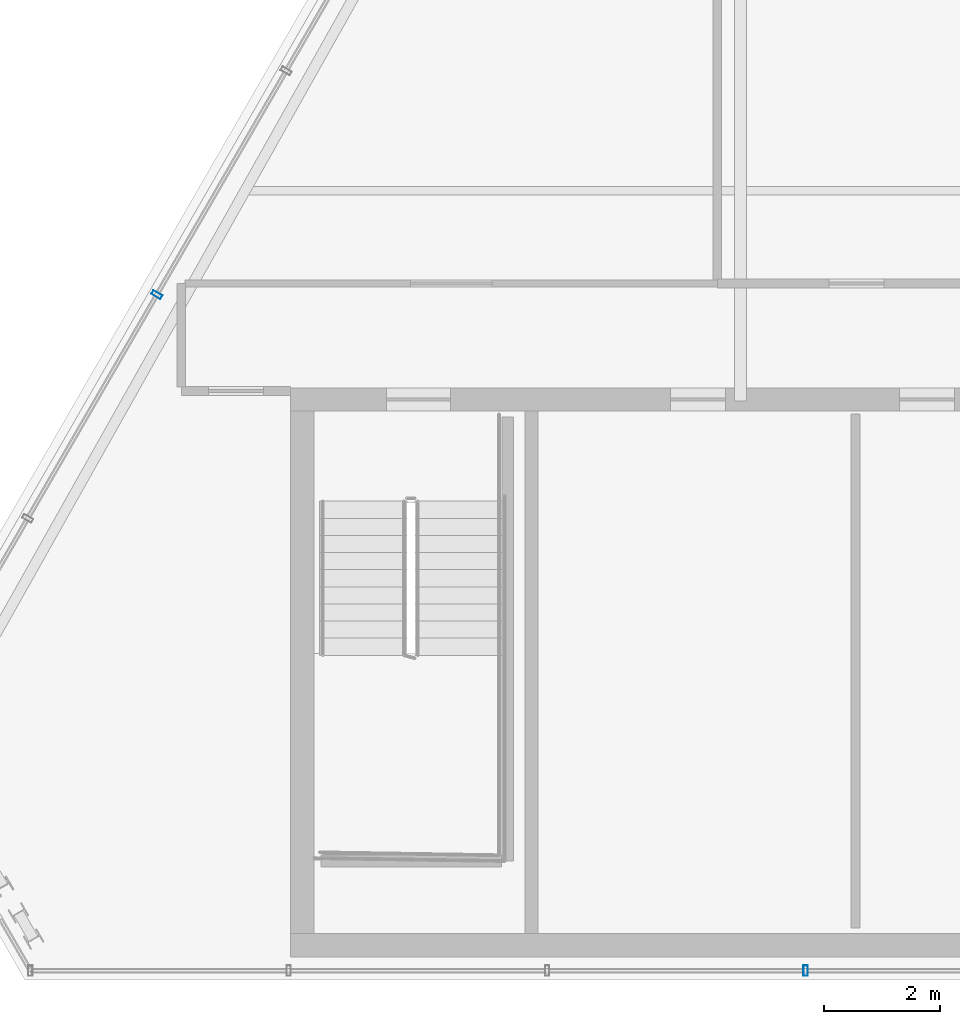
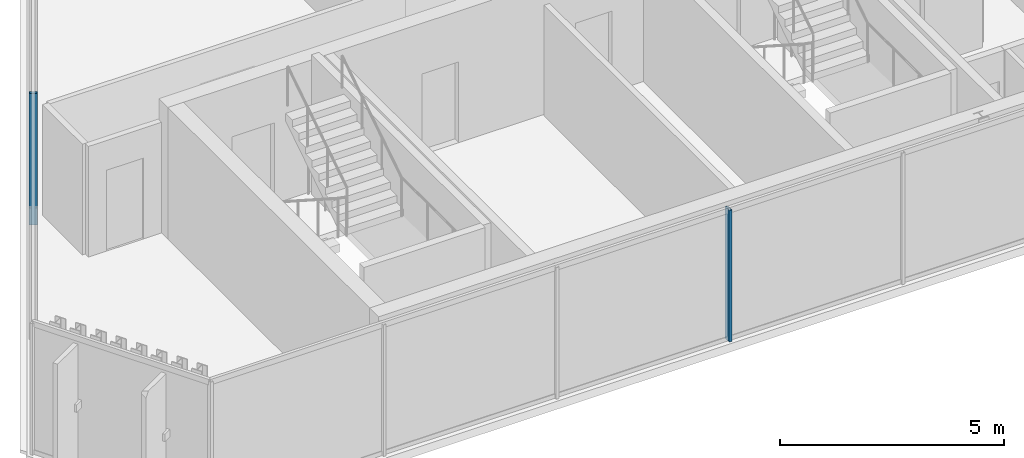
# One storey, part 4 of 32: 2 members, 2 elements without a shape of their own.
"""IFC4 building model written with IfcOpenShell, lengths in metres."""

import ifcopenshell
import ifcopenshell.guid

model = None  # the IFC model being written
_history = None  # IfcOwnerHistory: only IFC2X3 demands one
_inside = {}  # id of a spatial element -> (the spatial element, [elements in it])
_under = {}  # id of a project, library or spatial element -> (it, [spatial elements below it])
_declared = {}  # id of a project -> (the project, [libraries it declares])
_typed = {}  # id of a type object -> (the type object, [elements of that type])
_made_of = {}  # id of a material, layer set ... -> (it, [elements and type objects made of it])


def new_model(schema):
    """Start an empty IFC model of exactly this schema.

    Asked for "IFC4X3", IfcOpenShell would pick the latest addendum, in which some entities
    have other attributes; the version numbers below select the first issue.
    IFC2X3 requires an IfcOwnerHistory on every rooted entity: one is made here for all.
    """
    global model, _history
    if schema == "IFC4X3":
        model = ifcopenshell.file(schema_version=(4, 3, 0, 0))
    else:
        model = ifcopenshell.file(schema=schema)
    _inside.clear()
    _under.clear()
    _declared.clear()
    _typed.clear()
    _made_of.clear()
    _history = None
    if model.schema == "IFC2X3":
        org = make("IfcOrganization", Name="unknown")
        user = make(
            "IfcPersonAndOrganization",
            ThePerson=make("IfcPerson", FamilyName="unknown"),
            TheOrganization=org,
        )
        app = make(
            "IfcApplication",
            ApplicationDeveloper=org,
            Version="unknown",
            ApplicationFullName="unknown",
            ApplicationIdentifier="unknown",
        )
        _history = make(
            "IfcOwnerHistory",
            OwningUser=user,
            OwningApplication=app,
            ChangeAction="ADDED",
            CreationDate=0,
        )
    return model


def make(cls, **values):
    """One entity of the class cls with the attributes given. An attribute that is None is left unset."""
    return model.create_entity(
        cls, **{name: value for name, value in values.items() if value is not None}
    )


def rooted(cls, **values):
    """An entity with a GlobalId (a new one), such as an element, a storey or a relation."""
    return make(cls, GlobalId=ifcopenshell.guid.new(), OwnerHistory=_history, **values)


def si_unit(unit_type, name, prefix=None):
    """IfcSIUnit, for example si_unit("LENGTHUNIT", "METRE", prefix="MILLI")."""
    return make("IfcSIUnit", UnitType=unit_type, Prefix=prefix, Name=name)


def assignment(units):
    """IfcUnitAssignment: the units of a project."""
    return None if units is None else make("IfcUnitAssignment", Units=units)


def point(xyz):
    """IfcCartesianPoint."""
    return None if xyz is None else make("IfcCartesianPoint", Coordinates=xyz)


def direction(xyz):
    """IfcDirection."""
    return None if xyz is None else make("IfcDirection", DirectionRatios=xyz)


def frame(location, z_axis=None, x_axis=None):
    """IfcAxis2Placement3D, a coordinate frame: its origin and axes. An axis left out is left unset."""
    return make(
        "IfcAxis2Placement3D",
        Location=point(location),
        Axis=direction(z_axis),
        RefDirection=direction(x_axis),
    )


def frame_2d(location, x_axis=None):
    """IfcAxis2Placement2D, a coordinate frame in the plane: its origin and x axis."""
    return make(
        "IfcAxis2Placement2D", Location=point(location), RefDirection=direction(x_axis)
    )


def origin():
    """The frame at (0, 0, 0) with its axes left unset."""
    return frame((0.0, 0.0, 0.0))


def origin_2d():
    """The frame at (0, 0) in the plane with its x axis left unset."""
    return frame_2d((0.0, 0.0))


def place(relative_to, where):
    """IfcLocalPlacement: puts the frame where relative to a parent placement (None: the world)."""
    return make(
        "IfcLocalPlacement", PlacementRelTo=relative_to, RelativePlacement=where
    )


def context(
    kind, dimensions, precision=None, world=None, true_north=None, identifier=None
):
    """IfcGeometricRepresentationContext, for example the 3D "Model" context."""
    return make(
        "IfcGeometricRepresentationContext",
        ContextIdentifier=identifier,
        ContextType=kind,
        CoordinateSpaceDimension=dimensions,
        Precision=precision,
        WorldCoordinateSystem=world,
        TrueNorth=true_north,
    )


def subcontext(parent, identifier, kind, view, scale=None):
    """IfcGeometricRepresentationSubContext, for example "Body" below "Model"."""
    return make(
        "IfcGeometricRepresentationSubContext",
        ContextIdentifier=identifier,
        ContextType=kind,
        ParentContext=parent,
        TargetScale=scale,
        TargetView=view,
    )


def project(units=None, contexts=None):
    """IfcProject with its units and contexts."""
    return rooted(
        "IfcProject",
        Name="project",
        RepresentationContexts=contexts,
        UnitsInContext=assignment(units),
    )


def spatial(cls, under=None, at=None, **own):
    """A site, building, storey or space (cls), placed at a placement, below another one or the project."""
    s = rooted(cls, ObjectPlacement=at, **own)
    if under is not None:
        _under.setdefault(under.id(), (under, []))[1].append(s)
    return s


def profile(cls, at=None, kind="AREA", **sizes):
    """A parametric profile (cls). Its sizes go by their IFC names, for example OverallWidth=200.0."""
    return make(cls, ProfileType=kind, Position=at, **sizes)


def hollow_rectangle(**sizes):
    """IfcRectangleHollowProfileDef."""
    return profile("IfcRectangleHollowProfileDef", **sizes)


def extrude(swept, where, along, depth):
    """IfcExtrudedAreaSolid: the profile swept, set in the frame where, extruded along a direction by depth."""
    return make(
        "IfcExtrudedAreaSolid",
        SweptArea=swept,
        Position=where,
        ExtrudedDirection=direction(along),
        Depth=depth,
    )


def shape(context_of_items, identifier, shape_type, items):
    """IfcShapeRepresentation: the items that make up one representation, for example the "Body"."""
    return make(
        "IfcShapeRepresentation",
        ContextOfItems=context_of_items,
        RepresentationIdentifier=identifier,
        RepresentationType=shape_type,
        Items=items,
    )


def material(Name=None, Category=None):
    """IfcMaterial."""
    return make("IfcMaterial", Name=Name, Category=Category)


def layer(
    of_material, thickness, ventilated=None, Name=None, Category=None, Priority=None
):
    """IfcMaterialLayer: one layer of a wall or slab, of a material (None: an air gap)."""
    return make(
        "IfcMaterialLayer",
        Material=of_material,
        LayerThickness=thickness,
        IsVentilated=ventilated,
        Name=Name,
        Category=Category,
        Priority=Priority,
    )


def layer_set(layers, Name=None):
    """IfcMaterialLayerSet."""
    return make("IfcMaterialLayerSet", MaterialLayers=layers, LayerSetName=Name)


def material_profile(
    of_material, cross_section, Name=None, Category=None, Priority=None
):
    """IfcMaterialProfile: a cross section and its material."""
    return make(
        "IfcMaterialProfile",
        Name=Name,
        Material=of_material,
        Profile=cross_section,
        Priority=Priority,
        Category=Category,
    )


def profile_set(profiles, Name=None, composite=None):
    """IfcMaterialProfileSet."""
    return make(
        "IfcMaterialProfileSet",
        Name=Name,
        MaterialProfiles=profiles,
        CompositeProfile=composite,
    )


def made_of(thing, what):
    """Note that an element or type object is made of a material, layer set ...; save() writes the relation."""
    if what is not None:
        _made_of.setdefault(what.id(), (what, []))[1].append(thing)
    return thing


def type_object(cls, material=None, **own):
    """A type object (cls), such as IfcWallType, which elements share."""
    return made_of(rooted(cls, **own), material)


def element(
    cls,
    number,
    at=None,
    inside=None,
    cuts=None,
    type_object=None,
    material=None,
    context=None,
    identifier="Body",
    shape_type=None,
    held_by="IfcProductDefinitionShape",
    body=None,
    shapes=None,
    **own,
):
    """One element of the class cls, such as IfcWall. Its Tag is "e" and its number.

    at: its placement. inside: the storey or other place that contains it. cuts: it is an
    opening in that element (IfcRelVoidsElement). A single representation is given by context,
    identifier, shape_type and body (its items); several are given by shapes. held_by: the class
    of the entity that holds the representations. save() writes the other relations.
    """
    e = rooted(cls, Tag="e%d" % number, ObjectPlacement=at, **own)
    if body is not None:
        shapes = [shape(context, identifier, shape_type, body)]
    if shapes is not None:
        e.Representation = make(held_by, Representations=shapes)
    if inside is not None:
        _inside.setdefault(inside.id(), (inside, []))[1].append(e)
    if cuts is not None:
        rooted(
            "IfcRelVoidsElement", RelatingBuildingElement=cuts, RelatedOpeningElement=e
        )
    if type_object is not None:
        _typed.setdefault(type_object.id(), (type_object, []))[1].append(e)
    return made_of(e, material)


def aggregate(whole, parts):
    """IfcRelAggregates: a whole, such as a stair, and the parts it consists of."""
    return rooted("IfcRelAggregates", RelatingObject=whole, RelatedObjects=parts)


def save(model, path):
    """Write the relations noted so far, then the file.

    IfcRelAggregates (storeys below a building ...), IfcRelContainedInSpatialStructure (elements
    in a storey), IfcRelDefinesByType, IfcRelAssociatesMaterial and IfcRelDeclares: one each for
    every whole, place, type object, material and project.
    """
    for whole, parts in _under.values():
        aggregate(whole, parts)
    for where, things in _inside.values():
        rooted(
            "IfcRelContainedInSpatialStructure",
            RelatedElements=things,
            RelatingStructure=where,
        )
    for kind, things in _typed.values():
        rooted("IfcRelDefinesByType", RelatedObjects=things, RelatingType=kind)
    for what, things in _made_of.values():
        rooted("IfcRelAssociatesMaterial", RelatedObjects=things, RelatingMaterial=what)
    for by, libraries in _declared.values():
        rooted("IfcRelDeclares", RelatingContext=by, RelatedDefinitions=libraries)
    model.write(path)


model = new_model("IFC4")

# Units and contexts
model_context = context("Model", 3, precision=1e-05, world=origin(), true_north=direction((0.0, 1.0)))
body_context = subcontext(model_context, "Body", "Model", "MODEL_VIEW")
ifc_project = project(units=[si_unit("LENGTHUNIT", "METRE"), si_unit("AREAUNIT", "SQUARE_METRE"), si_unit("VOLUMEUNIT", "CUBIC_METRE"), si_unit("PLANEANGLEUNIT", "RADIAN"), si_unit("MASSUNIT", "GRAM", prefix="KILO")], contexts=[model_context])

# Site, building, storey
site_placement = place(None, origin())
site = spatial("IfcSite", under=ifc_project, at=site_placement, CompositionType="ELEMENT")
building_placement = place(site_placement, origin())
building = spatial("IfcBuilding", under=site, at=building_placement, Name="Ndaravel Arena Tower", CompositionType="ELEMENT")
storey_placement = place(building_placement, frame((0.0, 0.0, 283.300048828125)))
storey = spatial("IfcBuildingStorey", under=building, at=storey_placement, Name="L69", CompositionType="ELEMENT", Elevation=283.300048828125)

# Curtain wall, member
ifc_material_1 = material(Name="Aluminium", Category="aluminium")
ifc_layer = layer(ifc_material_1, 0.179931640625)
ifc_layer_set = layer_set([ifc_layer], Name="Aluminium")
curtain_wall_type = type_object("IfcCurtainWallType", Name="CW-SYS-03", PredefinedType="NOTDEFINED", material=ifc_layer_set)
curtain_wall_1_placement = place(storey_placement, origin())
curtain_wall_1 = element("IfcCurtainWall", 1, at=curtain_wall_1_placement, inside=storey, type_object=curtain_wall_type, Name="L69 Faceted Crystal Curtain Wall CW-L69-E01", PredefinedType="NOTDEFINED")
ifc_material_2 = material(Name="Aluminium", Category="aluminium")
ifc_material_profile = material_profile(ifc_material_2, hollow_rectangle(XDim=0.074951171875, YDim=0.179931640625, WallThickness=0.00390625, at=origin_2d()), Name="CW MULLION 75x180x4")
ifc_profile_set = profile_set([ifc_material_profile], Name="Aluminium")
member_type = type_object("IfcMemberType", Name="MEM-CW-MUL180", PredefinedType="MULLION", material=ifc_profile_set)
member_1_placement = place(storey_placement, frame((35.321533203125, 5.159912109375, 0.0), z_axis=(0.0, 0.0, 1.0), x_axis=(1.0, 0.0, 0.0)))
member_1 = element("IfcMember", 2, at=member_1_placement, type_object=member_type, Name="CW-L69-E01 Mullion 03", PredefinedType="MULLION", context=body_context, shape_type="SweptSolid", body=[
    extrude(hollow_rectangle(XDim=0.074951171875, YDim=0.179931640625, WallThickness=0.00390625, at=origin_2d()), origin(), (0.0, 0.0, 1.0), 3.579833984375),
])
aggregate(curtain_wall_1, [member_1])

curtain_wall_2_placement = place(storey_placement, origin())
curtain_wall_2 = element("IfcCurtainWall", 3, at=curtain_wall_2_placement, inside=storey, type_object=curtain_wall_type, Name="L69 Faceted Crystal Curtain Wall CW-L69-E05", PredefinedType="NOTDEFINED")
member_2_placement = place(storey_placement, frame((24.144775390625, 16.807373046875, 0.0), z_axis=(0.0, 0.0, 1.0), x_axis=(-0.5, -0.866025403784, 0.0)))
member_2 = element("IfcMember", 4, at=member_2_placement, type_object=member_type, Name="CW-L69-E05 Mullion 07", PredefinedType="MULLION", context=body_context, shape_type="SweptSolid", body=[
    extrude(hollow_rectangle(XDim=0.074951171875, YDim=0.179931640625, WallThickness=0.00390625, at=origin_2d()), origin(), (0.0, 0.0, 1.0), 3.579833984375),
])
aggregate(curtain_wall_2, [member_2])

save(model, "model.ifc")
